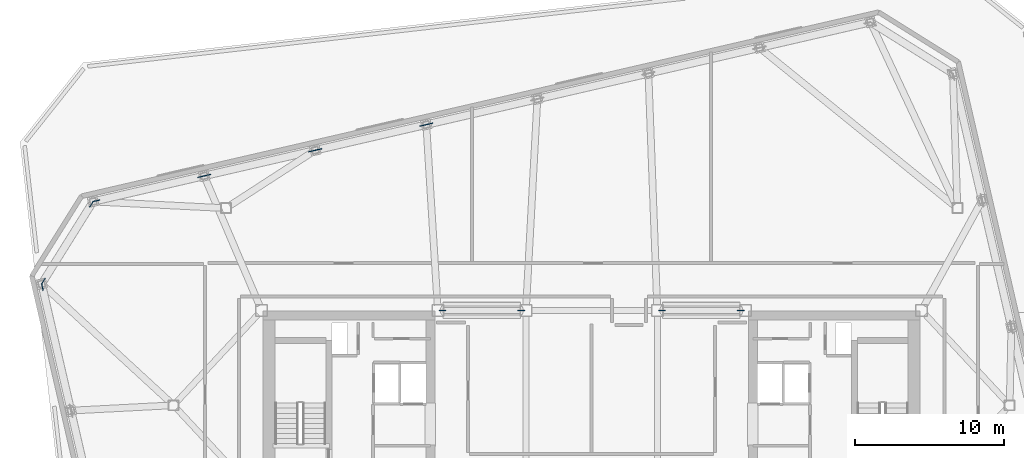
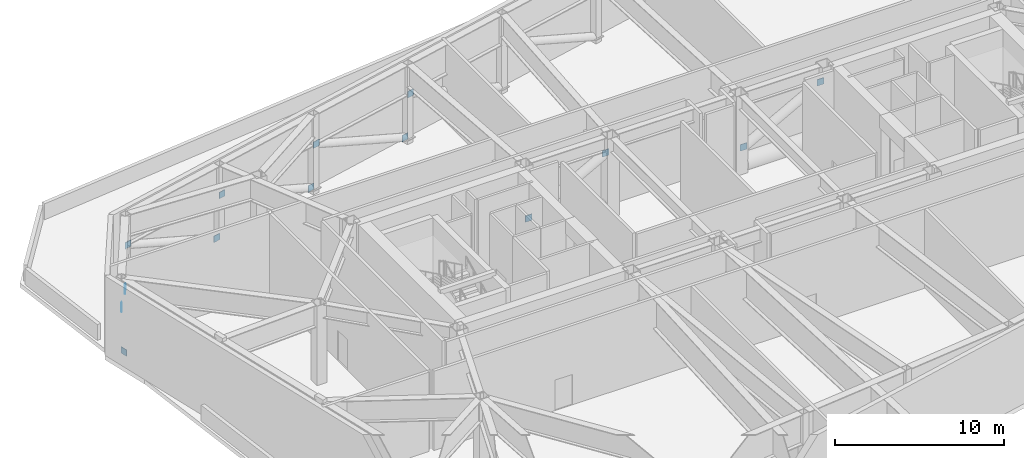
# One storey, part 12 of 15: 14 discrete accessories.
"""IFC4 building model written with IfcOpenShell, lengths in metres."""

from ifc_helpers import new_model, si_unit, direction, frame, origin, origin_2d, place, context, subcontext, project, spatial, rectangle, extrude, material, type_object, element, save


model = new_model("IFC4")

# Units and contexts
model_context = context("Model", 3, precision=1e-05, world=origin(), true_north=direction((0.0, 1.0)))
body_context = subcontext(model_context, "Body", "Model", "MODEL_VIEW")
ifc_project = project(units=[si_unit("LENGTHUNIT", "METRE"), si_unit("AREAUNIT", "SQUARE_METRE"), si_unit("VOLUMEUNIT", "CUBIC_METRE"), si_unit("PLANEANGLEUNIT", "RADIAN"), si_unit("MASSUNIT", "GRAM", prefix="KILO")], contexts=[model_context])

# Site, building, storey
site_placement = place(None, origin())
site = spatial("IfcSite", under=ifc_project, at=site_placement, CompositionType="ELEMENT")
building_placement = place(site_placement, origin())
building = spatial("IfcBuilding", under=site, at=building_placement, Name="Tavrogorsk Clinical Tower", CompositionType="ELEMENT")
storey_placement = place(building_placement, frame((0.0, 0.0, 271.0)))
storey = spatial("IfcBuildingStorey", under=building, at=storey_placement, Name="L63", CompositionType="ELEMENT", Elevation=271.0)

# Discrete accessories
ifc_material = material(Name="Structural steel S440", Category="steel")
discrete_accessory_type = type_object("IfcDiscreteAccessoryType", Name="GussetPlateBracket_25", PredefinedType="BRACKET", material=ifc_material)
for number, where, z_axis, x_axis, name in (
    (1, (-10.86279296875, 18.845458984375, 3.17138671875), (0.0, 0.0, 1.0), (-0.974370064785, -0.224951054344, 0.0), "L63 Brace Gusset Plate EXOBELT-L63-17-B"),
    (2, (-11.28271484375, 18.74853515625, 0.208740234375), (0.0, 0.0, 1.0), (-0.974370064785, -0.224951054344, 0.0), "L63 Brace Gusset Plate EXOBELT-L63-18-A"),
    (3, (-18.30126953125, 17.128173828125, 3.17138671875), (0.0, 0.0, 1.0), (-0.974370064785, -0.224951054344, 0.0), "L63 Brace Gusset Plate EXOBELT-L63-18-B"),
    (4, (-18.72119140625, 17.03125, 0.208740234375), (0.0, 0.0, 1.0), (-0.974370064785, -0.224951054344, 0.0), "L63 Brace Gusset Plate EXOBELT-L63-19-A"),
    (5, (-25.739990234375, 15.410888671875, 3.17138671875), (0.0, 0.0, 1.0), (-0.974370064785, -0.224951054344, 0.0), "L63 Brace Gusset Plate EXOBELT-L63-19-B"),
    (6, (-26.159912109375, 15.313720703125, 0.208740234375), (0.0, 0.0, 1.0), (-0.974370064785, -0.224951054344, 0.0), "L63 Brace Gusset Plate EXOBELT-L63-20-A"),
    (7, (-33.1787109375, 13.693359375, 3.17138671875), (0.0, 0.0, 1.0), (-0.974370064785, -0.224951054344, 0.0), "L63 Brace Gusset Plate EXOBELT-L63-20-B"),
    (8, (-33.499755859375, 13.467041015625, 0.22119140625), (0.0, 0.0, 1.0), (-0.529919264233, -0.848048096156, 0.0), "L63 Brace Gusset Plate EXOBELT-L63-21-A"),
    (9, (-36.724609375, 8.30615234375, 3.15869140625), (0.0, 0.0, 1.0), (-0.529919264233, -0.848048096156, 0.0), "L63 Brace Gusset Plate EXOBELT-L63-21-B"),
    (10, (-36.78662109375, 7.91455078125, 0.198974609375), (0.0, 0.0, 1.0), (0.224951054344, -0.974370064785, 0.0), "L63 Brace Gusset Plate EXOBELT-L63-22-A"),
    (11, (-9.98388671875, 6.35009765625, 1.422119140625), (0.0, 0.0, 1.0), (1.0, 0.0, 0.0), "L63 Brace Gusset Plate ORDG-L63-02-A"),
    (12, (-4.71630859375, 6.35009765625, 4.2880859375), (0.0, 0.0, 1.0), (1.0, 0.0, 0.0), "L63 Brace Gusset Plate ORDG-L63-02-B"),
    (13, (4.71630859375, 6.35009765625, 1.422119140625), (0.0, 0.0, 1.0), (1.0, 0.0, 0.0), "L63 Brace Gusset Plate ORDG-L63-04-A"),
    (14, (9.98388671875, 6.35009765625, 4.2880859375), (0.0, 0.0, 1.0), (1.0, 0.0, 0.0), "L63 Brace Gusset Plate ORDG-L63-04-B"),
):
    element("IfcDiscreteAccessory", number, at=place(storey_placement, frame(where, z_axis=z_axis, x_axis=x_axis)), inside=storey, type_object=discrete_accessory_type, Name=name, PredefinedType="BRACKET", context=body_context, shape_type="SweptSolid", body=[
        extrude(rectangle(XDim=0.4599609375, YDim=0.0400390625, at=origin_2d()), origin(), (0.0, 0.0, 1.0), 0.4599609375),
    ])

save(model, "model.ifc")
